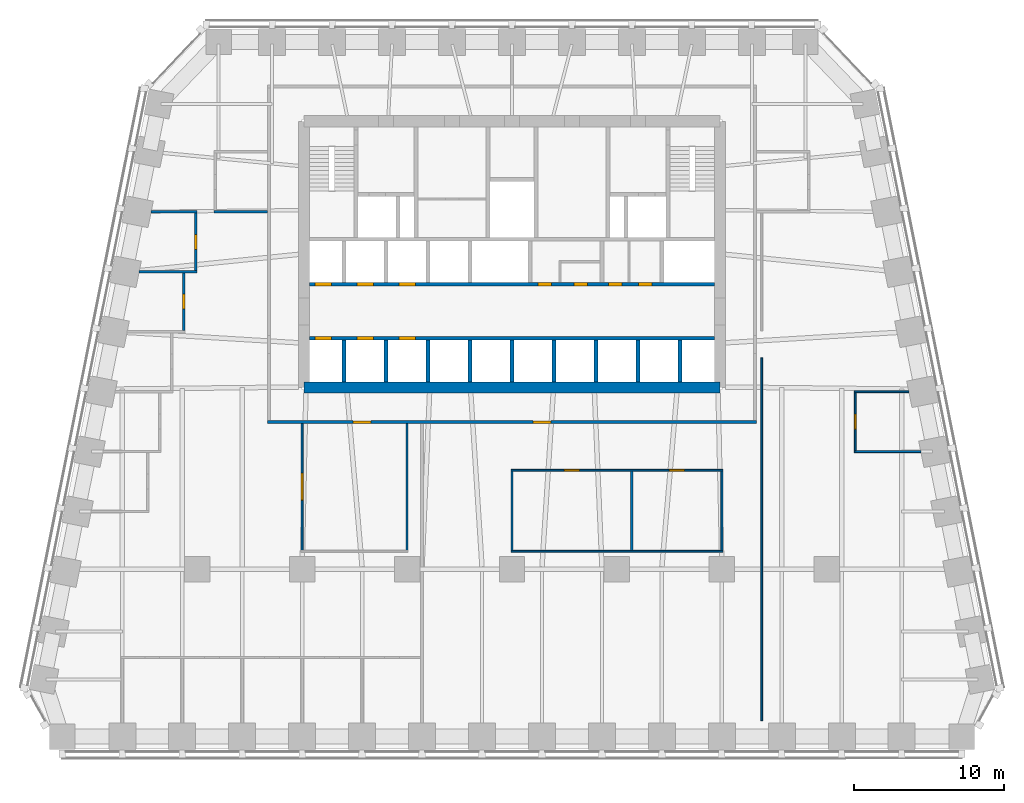
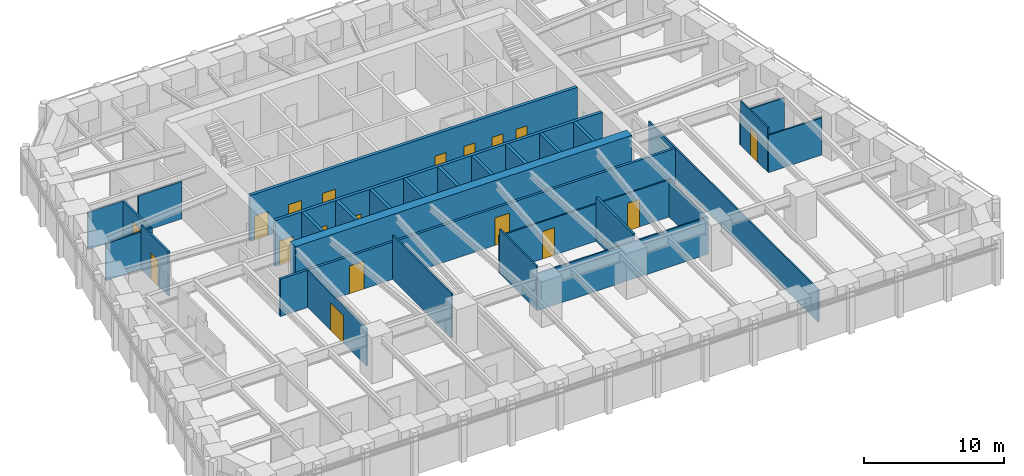
# One storey, part 6 of 10: 29 walls, 18 doors, 18 openings.
"""IFC4 building model written with IfcOpenShell, lengths in metres."""

import ifcopenshell
import ifcopenshell.guid

model = None  # the IFC model being written
_history = None  # IfcOwnerHistory: only IFC2X3 demands one
_inside = {}  # id of a spatial element -> (the spatial element, [elements in it])
_under = {}  # id of a project, library or spatial element -> (it, [spatial elements below it])
_declared = {}  # id of a project -> (the project, [libraries it declares])
_typed = {}  # id of a type object -> (the type object, [elements of that type])
_made_of = {}  # id of a material, layer set ... -> (it, [elements and type objects made of it])


def new_model(schema):
    """Start an empty IFC model of exactly this schema.

    Asked for "IFC4X3", IfcOpenShell would pick the latest addendum, in which some entities
    have other attributes; the version numbers below select the first issue.
    IFC2X3 requires an IfcOwnerHistory on every rooted entity: one is made here for all.
    """
    global model, _history
    if schema == "IFC4X3":
        model = ifcopenshell.file(schema_version=(4, 3, 0, 0))
    else:
        model = ifcopenshell.file(schema=schema)
    _inside.clear()
    _under.clear()
    _declared.clear()
    _typed.clear()
    _made_of.clear()
    _history = None
    if model.schema == "IFC2X3":
        org = make("IfcOrganization", Name="unknown")
        user = make(
            "IfcPersonAndOrganization",
            ThePerson=make("IfcPerson", FamilyName="unknown"),
            TheOrganization=org,
        )
        app = make(
            "IfcApplication",
            ApplicationDeveloper=org,
            Version="unknown",
            ApplicationFullName="unknown",
            ApplicationIdentifier="unknown",
        )
        _history = make(
            "IfcOwnerHistory",
            OwningUser=user,
            OwningApplication=app,
            ChangeAction="ADDED",
            CreationDate=0,
        )
    return model


def make(cls, **values):
    """One entity of the class cls with the attributes given. An attribute that is None is left unset."""
    return model.create_entity(
        cls, **{name: value for name, value in values.items() if value is not None}
    )


def rooted(cls, **values):
    """An entity with a GlobalId (a new one), such as an element, a storey or a relation."""
    return make(cls, GlobalId=ifcopenshell.guid.new(), OwnerHistory=_history, **values)


def si_unit(unit_type, name, prefix=None):
    """IfcSIUnit, for example si_unit("LENGTHUNIT", "METRE", prefix="MILLI")."""
    return make("IfcSIUnit", UnitType=unit_type, Prefix=prefix, Name=name)


def assignment(units):
    """IfcUnitAssignment: the units of a project."""
    return None if units is None else make("IfcUnitAssignment", Units=units)


def point(xyz):
    """IfcCartesianPoint."""
    return None if xyz is None else make("IfcCartesianPoint", Coordinates=xyz)


def direction(xyz):
    """IfcDirection."""
    return None if xyz is None else make("IfcDirection", DirectionRatios=xyz)


def frame(location, z_axis=None, x_axis=None):
    """IfcAxis2Placement3D, a coordinate frame: its origin and axes. An axis left out is left unset."""
    return make(
        "IfcAxis2Placement3D",
        Location=point(location),
        Axis=direction(z_axis),
        RefDirection=direction(x_axis),
    )


def frame_2d(location, x_axis=None):
    """IfcAxis2Placement2D, a coordinate frame in the plane: its origin and x axis."""
    return make(
        "IfcAxis2Placement2D", Location=point(location), RefDirection=direction(x_axis)
    )


def origin():
    """The frame at (0, 0, 0) with its axes left unset."""
    return frame((0.0, 0.0, 0.0))


def place(relative_to, where):
    """IfcLocalPlacement: puts the frame where relative to a parent placement (None: the world)."""
    return make(
        "IfcLocalPlacement", PlacementRelTo=relative_to, RelativePlacement=where
    )


def context(
    kind, dimensions, precision=None, world=None, true_north=None, identifier=None
):
    """IfcGeometricRepresentationContext, for example the 3D "Model" context."""
    return make(
        "IfcGeometricRepresentationContext",
        ContextIdentifier=identifier,
        ContextType=kind,
        CoordinateSpaceDimension=dimensions,
        Precision=precision,
        WorldCoordinateSystem=world,
        TrueNorth=true_north,
    )


def subcontext(parent, identifier, kind, view, scale=None):
    """IfcGeometricRepresentationSubContext, for example "Body" below "Model"."""
    return make(
        "IfcGeometricRepresentationSubContext",
        ContextIdentifier=identifier,
        ContextType=kind,
        ParentContext=parent,
        TargetScale=scale,
        TargetView=view,
    )


def project(units=None, contexts=None):
    """IfcProject with its units and contexts."""
    return rooted(
        "IfcProject",
        Name="project",
        RepresentationContexts=contexts,
        UnitsInContext=assignment(units),
    )


def spatial(cls, under=None, at=None, **own):
    """A site, building, storey or space (cls), placed at a placement, below another one or the project."""
    s = rooted(cls, ObjectPlacement=at, **own)
    if under is not None:
        _under.setdefault(under.id(), (under, []))[1].append(s)
    return s


def profile(cls, at=None, kind="AREA", **sizes):
    """A parametric profile (cls). Its sizes go by their IFC names, for example OverallWidth=200.0."""
    return make(cls, ProfileType=kind, Position=at, **sizes)


def rectangle(**sizes):
    """IfcRectangleProfileDef."""
    return profile("IfcRectangleProfileDef", **sizes)


def extrude(swept, where, along, depth):
    """IfcExtrudedAreaSolid: the profile swept, set in the frame where, extruded along a direction by depth."""
    return make(
        "IfcExtrudedAreaSolid",
        SweptArea=swept,
        Position=where,
        ExtrudedDirection=direction(along),
        Depth=depth,
    )


def shape(context_of_items, identifier, shape_type, items):
    """IfcShapeRepresentation: the items that make up one representation, for example the "Body"."""
    return make(
        "IfcShapeRepresentation",
        ContextOfItems=context_of_items,
        RepresentationIdentifier=identifier,
        RepresentationType=shape_type,
        Items=items,
    )


def material(Name=None, Category=None):
    """IfcMaterial."""
    return make("IfcMaterial", Name=Name, Category=Category)


def layer(
    of_material, thickness, ventilated=None, Name=None, Category=None, Priority=None
):
    """IfcMaterialLayer: one layer of a wall or slab, of a material (None: an air gap)."""
    return make(
        "IfcMaterialLayer",
        Material=of_material,
        LayerThickness=thickness,
        IsVentilated=ventilated,
        Name=Name,
        Category=Category,
        Priority=Priority,
    )


def layer_set(layers, Name=None):
    """IfcMaterialLayerSet."""
    return make("IfcMaterialLayerSet", MaterialLayers=layers, LayerSetName=Name)


def made_of(thing, what):
    """Note that an element or type object is made of a material, layer set ...; save() writes the relation."""
    if what is not None:
        _made_of.setdefault(what.id(), (what, []))[1].append(thing)
    return thing


def type_object(cls, material=None, **own):
    """A type object (cls), such as IfcWallType, which elements share."""
    return made_of(rooted(cls, **own), material)


def element(
    cls,
    number,
    at=None,
    inside=None,
    cuts=None,
    type_object=None,
    material=None,
    context=None,
    identifier="Body",
    shape_type=None,
    held_by="IfcProductDefinitionShape",
    body=None,
    shapes=None,
    **own,
):
    """One element of the class cls, such as IfcWall. Its Tag is "e" and its number.

    at: its placement. inside: the storey or other place that contains it. cuts: it is an
    opening in that element (IfcRelVoidsElement). A single representation is given by context,
    identifier, shape_type and body (its items); several are given by shapes. held_by: the class
    of the entity that holds the representations. save() writes the other relations.
    """
    e = rooted(cls, Tag="e%d" % number, ObjectPlacement=at, **own)
    if body is not None:
        shapes = [shape(context, identifier, shape_type, body)]
    if shapes is not None:
        e.Representation = make(held_by, Representations=shapes)
    if inside is not None:
        _inside.setdefault(inside.id(), (inside, []))[1].append(e)
    if cuts is not None:
        rooted(
            "IfcRelVoidsElement", RelatingBuildingElement=cuts, RelatedOpeningElement=e
        )
    if type_object is not None:
        _typed.setdefault(type_object.id(), (type_object, []))[1].append(e)
    return made_of(e, material)


def fill(opening, filler):
    """IfcRelFillsElement: the door or window that sits in an opening."""
    return rooted(
        "IfcRelFillsElement",
        RelatingOpeningElement=opening,
        RelatedBuildingElement=filler,
    )


def aggregate(whole, parts):
    """IfcRelAggregates: a whole, such as a stair, and the parts it consists of."""
    return rooted("IfcRelAggregates", RelatingObject=whole, RelatedObjects=parts)


def save(model, path):
    """Write the relations noted so far, then the file.

    IfcRelAggregates (storeys below a building ...), IfcRelContainedInSpatialStructure (elements
    in a storey), IfcRelDefinesByType, IfcRelAssociatesMaterial and IfcRelDeclares: one each for
    every whole, place, type object, material and project.
    """
    for whole, parts in _under.values():
        aggregate(whole, parts)
    for where, things in _inside.values():
        rooted(
            "IfcRelContainedInSpatialStructure",
            RelatedElements=things,
            RelatingStructure=where,
        )
    for kind, things in _typed.values():
        rooted("IfcRelDefinesByType", RelatedObjects=things, RelatingType=kind)
    for what, things in _made_of.values():
        rooted("IfcRelAssociatesMaterial", RelatedObjects=things, RelatingMaterial=what)
    for by, libraries in _declared.values():
        rooted("IfcRelDeclares", RelatingContext=by, RelatedDefinitions=libraries)
    model.write(path)


model = new_model("IFC4")

# Units and contexts
model_context = context("Model", 3, precision=1e-05, world=origin(), true_north=direction((0.0, 1.0)))
body_context = subcontext(model_context, "Body", "Model", "MODEL_VIEW")
ifc_project = project(units=[si_unit("LENGTHUNIT", "METRE"), si_unit("AREAUNIT", "SQUARE_METRE"), si_unit("VOLUMEUNIT", "CUBIC_METRE"), si_unit("PLANEANGLEUNIT", "RADIAN"), si_unit("MASSUNIT", "GRAM", prefix="KILO")], contexts=[model_context])

# Site, building, storey
site_placement = place(None, origin())
site = spatial("IfcSite", under=ifc_project, at=site_placement, CompositionType="ELEMENT")
building_placement = place(site_placement, origin())
building = spatial("IfcBuilding", under=site, at=building_placement, Name="Isbrekke Arena Tower", CompositionType="ELEMENT")
storey_placement = place(building_placement, frame((0.0, 0.0, 107.0)))
storey = spatial("IfcBuildingStorey", under=building, at=storey_placement, Name="L23", CompositionType="ELEMENT", Elevation=107.0)

# Wall
ifc_material_1 = material(Name="Concrete B55 (C55/67)", Category="concrete")
ifc_layer_1 = layer(ifc_material_1, 0.75)
ifc_layer_set_1 = layer_set([ifc_layer_1], Name="CW3 CORE WALL 750")
wall_type_1 = type_object("IfcWallType", Name="CW3 CORE WALL 750", PredefinedType="SHEAR", material=ifc_layer_set_1)
wall_1_placement = place(storey_placement, frame((-13.875, 6.125, 0.0), z_axis=(0.0, 0.0, 1.0), x_axis=(1.0, 0.0, 0.0)))
element("IfcWall", 1, at=wall_1_placement, inside=storey, type_object=wall_type_1, Name="Core wall S L23", PredefinedType="SHEAR", context=body_context, shape_type="SweptSolid", body=[
    extrude(rectangle(XDim=27.75, YDim=0.75, at=frame_2d((13.875, 0.0))), origin(), (0.0, 0.0, 1.0), 4.0),
])

# Wall, openings, doors
ifc_material_2 = material(Name="Concrete B45 (C45/55)", Category="concrete")
ifc_layer_2 = layer(ifc_material_2, 0.25)
ifc_layer_set_2 = layer_set([ifc_layer_2], Name="CW6 SHAFT WALL 250")
wall_type_2 = type_object("IfcWallType", Name="CW6 SHAFT WALL 250", PredefinedType="SHEAR", material=ifc_layer_set_2)
wall_2_placement = place(storey_placement, frame((-13.5, 9.39990234375, 0.0), z_axis=(0.0, 0.0, 1.0), x_axis=(1.0, 0.0, 0.0)))
wall_2 = element("IfcWall", 2, at=wall_2_placement, inside=storey, type_object=wall_type_2, Name="Core wall LS L23", PredefinedType="SHEAR", context=body_context, shape_type="SweptSolid", body=[
    extrude(rectangle(XDim=27.0, YDim=0.25, at=frame_2d((13.5, 0.0))), origin(), (0.0, 0.0, 1.0), 4.0),
])
opening_1_placement = place(wall_2_placement, frame((0.35009765625, 0.0, 0.0)))
opening_1 = element("IfcOpeningElement", 3, at=opening_1_placement, cuts=wall_2, Name="Opening LD1", PredefinedType="OPENING", context=body_context, shape_type="SweptSolid", body=[
    extrude(rectangle(XDim=1.10009765625, YDim=2.10009765625, at=frame_2d((0.550048828125, 1.050048828125))), frame((0.0, 0.139892578125, 0.0), z_axis=(0.0, -1.0, 0.0), x_axis=(1.0, 0.0, 0.0)), (0.0, 0.0, 1.0), 0.27978515625),
])
opening_2_placement = place(wall_2_placement, frame((3.14990234375, 0.0, 0.0)))
opening_2 = element("IfcOpeningElement", 4, at=opening_2_placement, cuts=wall_2, Name="Opening LD1", PredefinedType="OPENING", context=body_context, shape_type="SweptSolid", body=[
    extrude(rectangle(XDim=1.10009765625, YDim=2.10009765625, at=frame_2d((0.550048828125, 1.050048828125))), frame((0.0, 0.139892578125, 0.0), z_axis=(0.0, -1.0, 0.0), x_axis=(1.0, 0.0, 0.0)), (0.0, 0.0, 1.0), 0.27978515625),
])
opening_3_placement = place(wall_2_placement, frame((5.949951171875, 0.0, 0.0)))
opening_3 = element("IfcOpeningElement", 5, at=opening_3_placement, cuts=wall_2, Name="Opening LD1", PredefinedType="OPENING", context=body_context, shape_type="SweptSolid", body=[
    extrude(rectangle(XDim=1.10009765625, YDim=2.10009765625, at=frame_2d((0.550048828125, 1.050048828125))), frame((0.0, 0.139892578125, 0.0), z_axis=(0.0, -1.0, 0.0), x_axis=(1.0, 0.0, 0.0)), (0.0, 0.0, 1.0), 0.27978515625),
])
ifc_material_3 = material(Name="Stainless steel lift landing door", Category="steel")
door_type_1 = type_object("IfcDoorType", Name="LD1 LIFT LANDING DOOR 1100 x 2100", OperationType="SLIDING_TO_LEFT", PredefinedType="DOOR", material=ifc_material_3)
door_1_placement = place(opening_1_placement, origin())
door_1 = element("IfcDoor", 6, at=door_1_placement, inside=storey, type_object=door_type_1, Name="LD1 lift landing door LB L23", OperationType="SLIDING_TO_LEFT", OverallHeight=2.10009765625, OverallWidth=1.10009765625, PredefinedType="DOOR", context=body_context, shape_type="SweptSolid", body=[
    extrude(rectangle(XDim=1.10009765625, YDim=2.10009765625, at=frame_2d((0.550048828125, 1.050048828125))), frame((0.0, 0.124755859375, 0.0), z_axis=(0.0, -1.0, 0.0), x_axis=(1.0, 0.0, 0.0)), (0.0, 0.0, 1.0), 0.24951171875),
])
fill(opening_1, door_1)
door_2_placement = place(opening_2_placement, origin())
door_2 = element("IfcDoor", 7, at=door_2_placement, inside=storey, type_object=door_type_1, Name="LD1 lift landing door LB L23", OperationType="SLIDING_TO_LEFT", OverallHeight=2.10009765625, OverallWidth=1.10009765625, PredefinedType="DOOR", context=body_context, shape_type="SweptSolid", body=[
    extrude(rectangle(XDim=1.10009765625, YDim=2.10009765625, at=frame_2d((0.550048828125, 1.050048828125))), frame((0.0, 0.124755859375, 0.0), z_axis=(0.0, -1.0, 0.0), x_axis=(1.0, 0.0, 0.0)), (0.0, 0.0, 1.0), 0.24951171875),
])
fill(opening_2, door_2)
door_3_placement = place(opening_3_placement, origin())
door_3 = element("IfcDoor", 8, at=door_3_placement, inside=storey, type_object=door_type_1, Name="LD1 lift landing door LB L23", OperationType="SLIDING_TO_LEFT", OverallHeight=2.10009765625, OverallWidth=1.10009765625, PredefinedType="DOOR", context=body_context, shape_type="SweptSolid", body=[
    extrude(rectangle(XDim=1.10009765625, YDim=2.10009765625, at=frame_2d((0.550048828125, 1.050048828125))), frame((0.0, 0.124755859375, 0.0), z_axis=(0.0, -1.0, 0.0), x_axis=(1.0, 0.0, 0.0)), (0.0, 0.0, 1.0), 0.24951171875),
])
fill(opening_3, door_3)

wall_3_placement = place(storey_placement, frame((-13.5, 13.0, 0.0), z_axis=(0.0, 0.0, 1.0), x_axis=(1.0, 0.0, 0.0)))
wall_3 = element("IfcWall", 9, at=wall_3_placement, inside=storey, type_object=wall_type_2, Name="Core wall LN L23", PredefinedType="SHEAR", context=body_context, shape_type="SweptSolid", body=[
    extrude(rectangle(XDim=27.0, YDim=0.25, at=frame_2d((13.5, 0.0))), origin(), (0.0, 0.0, 1.0), 4.0),
])
opening_4_placement = place(wall_3_placement, frame((0.35009765625, 0.0, 0.0)))
opening_4 = element("IfcOpeningElement", 10, at=opening_4_placement, cuts=wall_3, Name="Opening LD1", PredefinedType="OPENING", context=body_context, shape_type="SweptSolid", body=[
    extrude(rectangle(XDim=1.10009765625, YDim=2.10009765625, at=frame_2d((0.550048828125, 1.050048828125))), frame((0.0, 0.139892578125, 0.0), z_axis=(0.0, -1.0, 0.0), x_axis=(1.0, 0.0, 0.0)), (0.0, 0.0, 1.0), 0.27978515625),
])
opening_5_placement = place(wall_3_placement, frame((3.14990234375, 0.0, 0.0)))
opening_5 = element("IfcOpeningElement", 11, at=opening_5_placement, cuts=wall_3, Name="Opening LD1", PredefinedType="OPENING", context=body_context, shape_type="SweptSolid", body=[
    extrude(rectangle(XDim=1.10009765625, YDim=2.10009765625, at=frame_2d((0.550048828125, 1.050048828125))), frame((0.0, 0.139892578125, 0.0), z_axis=(0.0, -1.0, 0.0), x_axis=(1.0, 0.0, 0.0)), (0.0, 0.0, 1.0), 0.27978515625),
])
opening_6_placement = place(wall_3_placement, frame((5.949951171875, 0.0, 0.0)))
opening_6 = element("IfcOpeningElement", 12, at=opening_6_placement, cuts=wall_3, Name="Opening LD1", PredefinedType="OPENING", context=body_context, shape_type="SweptSolid", body=[
    extrude(rectangle(XDim=1.10009765625, YDim=2.10009765625, at=frame_2d((0.550048828125, 1.050048828125))), frame((0.0, 0.139892578125, 0.0), z_axis=(0.0, -1.0, 0.0), x_axis=(1.0, 0.0, 0.0)), (0.0, 0.0, 1.0), 0.27978515625),
])
opening_7_placement = place(wall_3_placement, frame((15.25, 0.0, 0.0)))
opening_7 = element("IfcOpeningElement", 13, at=opening_7_placement, cuts=wall_3, Name="Opening D5", PredefinedType="OPENING", context=body_context, shape_type="SweptSolid", body=[
    extrude(rectangle(XDim=0.89990234375, YDim=2.10009765625, at=frame_2d((0.449951171875, 1.050048828125))), frame((0.0, 0.139892578125, 0.0), z_axis=(0.0, -1.0, 0.0), x_axis=(1.0, 0.0, 0.0)), (0.0, 0.0, 1.0), 0.27978515625),
])
opening_8_placement = place(wall_3_placement, frame((17.64990234375, 0.0, 0.0)))
opening_8 = element("IfcOpeningElement", 14, at=opening_8_placement, cuts=wall_3, Name="Opening D5", PredefinedType="OPENING", context=body_context, shape_type="SweptSolid", body=[
    extrude(rectangle(XDim=0.89990234375, YDim=2.10009765625, at=frame_2d((0.449951171875, 1.050048828125))), frame((0.0, 0.139892578125, 0.0), z_axis=(0.0, -1.0, 0.0), x_axis=(1.0, 0.0, 0.0)), (0.0, 0.0, 1.0), 0.27978515625),
])
opening_9_placement = place(wall_3_placement, frame((19.949951171875, 0.0, 0.0)))
opening_9 = element("IfcOpeningElement", 15, at=opening_9_placement, cuts=wall_3, Name="Opening D5", PredefinedType="OPENING", context=body_context, shape_type="SweptSolid", body=[
    extrude(rectangle(XDim=0.89990234375, YDim=2.10009765625, at=frame_2d((0.449951171875, 1.050048828125))), frame((0.0, 0.139892578125, 0.0), z_axis=(0.0, -1.0, 0.0), x_axis=(1.0, 0.0, 0.0)), (0.0, 0.0, 1.0), 0.27978515625),
])
opening_10_placement = place(wall_3_placement, frame((21.949951171875, 0.0, 0.0)))
opening_10 = element("IfcOpeningElement", 16, at=opening_10_placement, cuts=wall_3, Name="Opening D5", PredefinedType="OPENING", context=body_context, shape_type="SweptSolid", body=[
    extrude(rectangle(XDim=0.89990234375, YDim=2.10009765625, at=frame_2d((0.449951171875, 1.050048828125))), frame((0.0, 0.139892578125, 0.0), z_axis=(0.0, -1.0, 0.0), x_axis=(1.0, 0.0, 0.0)), (0.0, 0.0, 1.0), 0.27978515625),
])
ifc_material_4 = material(Name="Steel fire door", Category="steel")
door_type_2 = type_object("IfcDoorType", Name="D5 SERVICE DOOR 900 x 2100", OperationType="SINGLE_SWING_LEFT", PredefinedType="DOOR", material=ifc_material_4)
door_4_placement = place(opening_7_placement, origin())
door_4 = element("IfcDoor", 17, at=door_4_placement, inside=storey, type_object=door_type_2, Name="D5 print room door L23", OperationType="SINGLE_SWING_LEFT", OverallHeight=2.10009765625, OverallWidth=0.89990234375, PredefinedType="DOOR", context=body_context, shape_type="SweptSolid", body=[
    extrude(rectangle(XDim=0.89990234375, YDim=2.10009765625, at=frame_2d((0.449951171875, 1.050048828125))), frame((0.0, 0.124755859375, 0.0), z_axis=(0.0, -1.0, 0.0), x_axis=(1.0, 0.0, 0.0)), (0.0, 0.0, 1.0), 0.24951171875),
])
fill(opening_7, door_4)
door_5_placement = place(opening_8_placement, origin())
door_5 = element("IfcDoor", 18, at=door_5_placement, inside=storey, type_object=door_type_2, Name="D5 cleaner's store door L23", OperationType="SINGLE_SWING_LEFT", OverallHeight=2.10009765625, OverallWidth=0.89990234375, PredefinedType="DOOR", context=body_context, shape_type="SweptSolid", body=[
    extrude(rectangle(XDim=0.89990234375, YDim=2.10009765625, at=frame_2d((0.449951171875, 1.050048828125))), frame((0.0, 0.124755859375, 0.0), z_axis=(0.0, -1.0, 0.0), x_axis=(1.0, 0.0, 0.0)), (0.0, 0.0, 1.0), 0.24951171875),
])
fill(opening_8, door_5)
door_6_placement = place(opening_9_placement, origin())
door_6 = element("IfcDoor", 19, at=door_6_placement, inside=storey, type_object=door_type_2, Name="D5 communications room door L23", OperationType="SINGLE_SWING_LEFT", OverallHeight=2.10009765625, OverallWidth=0.89990234375, PredefinedType="DOOR", context=body_context, shape_type="SweptSolid", body=[
    extrude(rectangle(XDim=0.89990234375, YDim=2.10009765625, at=frame_2d((0.449951171875, 1.050048828125))), frame((0.0, 0.124755859375, 0.0), z_axis=(0.0, -1.0, 0.0), x_axis=(1.0, 0.0, 0.0)), (0.0, 0.0, 1.0), 0.24951171875),
])
fill(opening_9, door_6)
door_7_placement = place(opening_10_placement, origin())
door_7 = element("IfcDoor", 20, at=door_7_placement, inside=storey, type_object=door_type_2, Name="D5 mothers' room door L23", OperationType="SINGLE_SWING_LEFT", OverallHeight=2.10009765625, OverallWidth=0.89990234375, PredefinedType="DOOR", context=body_context, shape_type="SweptSolid", body=[
    extrude(rectangle(XDim=0.89990234375, YDim=2.10009765625, at=frame_2d((0.449951171875, 1.050048828125))), frame((0.0, 0.124755859375, 0.0), z_axis=(0.0, -1.0, 0.0), x_axis=(1.0, 0.0, 0.0)), (0.0, 0.0, 1.0), 0.24951171875),
])
fill(opening_10, door_7)
door_8_placement = place(opening_4_placement, origin())
door_8 = element("IfcDoor", 21, at=door_8_placement, inside=storey, type_object=door_type_1, Name="LD1 lift landing door LB L23", OperationType="SLIDING_TO_LEFT", OverallHeight=2.10009765625, OverallWidth=1.10009765625, PredefinedType="DOOR", context=body_context, shape_type="SweptSolid", body=[
    extrude(rectangle(XDim=1.10009765625, YDim=2.10009765625, at=frame_2d((0.550048828125, 1.050048828125))), frame((0.0, 0.124755859375, 0.0), z_axis=(0.0, -1.0, 0.0), x_axis=(1.0, 0.0, 0.0)), (0.0, 0.0, 1.0), 0.24951171875),
])
fill(opening_4, door_8)
door_9_placement = place(opening_5_placement, origin())
door_9 = element("IfcDoor", 22, at=door_9_placement, inside=storey, type_object=door_type_1, Name="LD1 lift landing door LB L23", OperationType="SLIDING_TO_LEFT", OverallHeight=2.10009765625, OverallWidth=1.10009765625, PredefinedType="DOOR", context=body_context, shape_type="SweptSolid", body=[
    extrude(rectangle(XDim=1.10009765625, YDim=2.10009765625, at=frame_2d((0.550048828125, 1.050048828125))), frame((0.0, 0.124755859375, 0.0), z_axis=(0.0, -1.0, 0.0), x_axis=(1.0, 0.0, 0.0)), (0.0, 0.0, 1.0), 0.24951171875),
])
fill(opening_5, door_9)
door_10_placement = place(opening_6_placement, origin())
door_10 = element("IfcDoor", 23, at=door_10_placement, inside=storey, type_object=door_type_1, Name="LD1 lift landing door LB L23", OperationType="SLIDING_TO_LEFT", OverallHeight=2.10009765625, OverallWidth=1.10009765625, PredefinedType="DOOR", context=body_context, shape_type="SweptSolid", body=[
    extrude(rectangle(XDim=1.10009765625, YDim=2.10009765625, at=frame_2d((0.550048828125, 1.050048828125))), frame((0.0, 0.124755859375, 0.0), z_axis=(0.0, -1.0, 0.0), x_axis=(1.0, 0.0, 0.0)), (0.0, 0.0, 1.0), 0.24951171875),
])
fill(opening_6, door_10)

# Walls
for number, where, z_axis, x_axis, name in (
    (24, (-11.199951171875, 6.5, 0.0), (0.0, 0.0, 1.0), (0.0, 1.0, 0.0), "Core wall SS01 L23"),
    (25, (-8.39990234375, 6.5, 0.0), (0.0, 0.0, 1.0), (0.0, 1.0, 0.0), "Core wall SS02 L23"),
    (26, (-5.60009765625, 6.5, 0.0), (0.0, 0.0, 1.0), (0.0, 1.0, 0.0), "Core wall SS03 L23"),
    (27, (-2.800048828125, 6.5, 0.0), (0.0, 0.0, 1.0), (0.0, 1.0, 0.0), "Core wall SS04 L23"),
    (28, (0.0, 6.5, 0.0), (0.0, 0.0, 1.0), (0.0, 1.0, 0.0), "Core wall SS05 L23"),
    (29, (2.800048828125, 6.5, 0.0), (0.0, 0.0, 1.0), (0.0, 1.0, 0.0), "Core wall SS06 L23"),
    (30, (5.60009765625, 6.5, 0.0), (0.0, 0.0, 1.0), (0.0, 1.0, 0.0), "Core wall SS07 L23"),
    (31, (8.39990234375, 6.5, 0.0), (0.0, 0.0, 1.0), (0.0, 1.0, 0.0), "Core wall SS08 L23"),
    (32, (11.199951171875, 6.5, 0.0), (0.0, 0.0, 1.0), (0.0, 1.0, 0.0), "Core wall SS09 L23"),
):
    element("IfcWall", number, at=place(storey_placement, frame(where, z_axis=z_axis, x_axis=x_axis)), inside=storey, type_object=wall_type_2, Name=name, PredefinedType="SHEAR", context=body_context, shape_type="SweptSolid", body=[
        extrude(rectangle(XDim=2.77490234375, YDim=0.25, at=frame_2d((1.387451171875, 0.0))), origin(), (0.0, 0.0, 1.0), 4.0),
    ])
ifc_material_5 = material(Name="Gypsum board partition on steel studs", Category="steel")
ifc_layer_3 = layer(ifc_material_5, 0.14990234375)
ifc_layer_set_3 = layer_set([ifc_layer_3], Name="IW1 PARTITION 150")
wall_type_3 = type_object("IfcWallType", Name="IW1 PARTITION 150", PredefinedType="PARTITIONING", material=ifc_layer_set_3)
wall_4_placement = place(storey_placement, frame((-24.872802734375, 13.840087890625, 0.0), z_axis=(0.0, 0.0, 1.0), x_axis=(1.0, 0.0, 0.0)))
element("IfcWall", 33, at=wall_4_placement, inside=storey, type_object=wall_type_3, Name="IW1 partition 150 L23", PredefinedType="PARTITIONING", context=body_context, shape_type="SweptSolid", body=[
    extrude(rectangle(XDim=3.847900390625, YDim=0.14990234375, at=frame_2d((1.923828125, 0.0))), origin(), (0.0, 0.0, 1.0), 3.25),
])
wall_5_placement = place(storey_placement, frame((-24.07275390625, 17.840087890625, 0.0), z_axis=(0.0, 0.0, 1.0), x_axis=(1.0, 0.0, 0.0)))
element("IfcWall", 34, at=wall_5_placement, inside=storey, type_object=wall_type_3, Name="IW1 partition 150 L23", PredefinedType="PARTITIONING", context=body_context, shape_type="SweptSolid", body=[
    extrude(rectangle(XDim=3.0478515625, YDim=0.14990234375, at=frame_2d((1.52392578125, 0.0))), origin(), (0.0, 0.0, 1.0), 3.25),
])
wall_6_placement = place(storey_placement, frame((-19.875, 17.840087890625, 0.0), z_axis=(0.0, 0.0, 1.0), x_axis=(1.0, 0.0, 0.0)))
element("IfcWall", 35, at=wall_6_placement, inside=storey, type_object=wall_type_3, Name="IW1 partition 150 L23", PredefinedType="PARTITIONING", context=body_context, shape_type="SweptSolid", body=[
    extrude(rectangle(XDim=3.574951171875, YDim=0.14990234375, at=frame_2d((1.78759765625, 0.0))), origin(), (0.0, 0.0, 1.0), 3.25),
])

# Wall, opening, door
wall_7_placement = place(storey_placement, frame((-21.89990234375, 9.9150390625, 0.0), z_axis=(0.0, 0.0, 1.0), x_axis=(0.0, 1.0, 0.0)))
wall_7 = element("IfcWall", 36, at=wall_7_placement, inside=storey, type_object=wall_type_3, Name="IW1 partition 150 L23", PredefinedType="PARTITIONING", context=body_context, shape_type="SweptSolid", body=[
    extrude(rectangle(XDim=3.849853515625, YDim=0.14990234375, at=frame_2d((1.9248046875, 0.0))), origin(), (0.0, 0.0, 1.0), 3.85009765625),
])
opening_11_placement = place(wall_7_placement, frame((1.425048828125, 0.0, 0.0)))
opening_11 = element("IfcOpeningElement", 37, at=opening_11_placement, cuts=wall_7, Name="Opening D10", PredefinedType="OPENING", context=body_context, shape_type="SweptSolid", body=[
    extrude(rectangle(XDim=1.0, YDim=2.300048828125, at=frame_2d((0.5, 1.14990234375))), frame((0.0, 0.08984375, 0.0), z_axis=(0.0, -1.0, 0.0), x_axis=(1.0, 0.0, 0.0)), (0.0, 0.0, 1.0), 0.1796875),
])
ifc_material_6 = material(Name="Timber door", Category="wood")
door_type_3 = type_object("IfcDoorType", Name="D10 OFFICE DOOR 1000 x 2300", OperationType="SINGLE_SWING_LEFT", PredefinedType="DOOR", material=ifc_material_6)
door_11_placement = place(opening_11_placement, origin())
door_11 = element("IfcDoor", 38, at=door_11_placement, inside=storey, type_object=door_type_3, Name="D10 office door L23", OperationType="SINGLE_SWING_LEFT", OverallHeight=2.300048828125, OverallWidth=1.0, PredefinedType="DOOR", context=body_context, shape_type="SweptSolid", body=[
    extrude(rectangle(XDim=1.0, YDim=2.300048828125, at=frame_2d((0.5, 1.14990234375))), frame((0.0, 0.07470703125, 0.0), z_axis=(0.0, -1.0, 0.0), x_axis=(1.0, 0.0, 0.0)), (0.0, 0.0, 1.0), 0.1494140625),
])
fill(opening_11, door_11)

wall_8_placement = place(storey_placement, frame((-21.10009765625, 13.9150390625, 0.0), z_axis=(0.0, 0.0, 1.0), x_axis=(0.0, 1.0, 0.0)))
wall_8 = element("IfcWall", 39, at=wall_8_placement, inside=storey, type_object=wall_type_3, Name="IW1 partition 150 L23", PredefinedType="PARTITIONING", context=body_context, shape_type="SweptSolid", body=[
    extrude(rectangle(XDim=3.849853515625, YDim=0.14990234375, at=frame_2d((1.9248046875, 0.0))), origin(), (0.0, 0.0, 1.0), 3.25),
])
opening_12_placement = place(wall_8_placement, frame((1.425048828125, 0.0, 0.0)))
opening_12 = element("IfcOpeningElement", 40, at=opening_12_placement, cuts=wall_8, Name="Opening D10", PredefinedType="OPENING", context=body_context, shape_type="SweptSolid", body=[
    extrude(rectangle(XDim=1.0, YDim=2.300048828125, at=frame_2d((0.5, 1.14990234375))), frame((0.0, 0.08984375, 0.0), z_axis=(0.0, -1.0, 0.0), x_axis=(1.0, 0.0, 0.0)), (0.0, 0.0, 1.0), 0.1796875),
])
door_12_placement = place(opening_12_placement, origin())
door_12 = element("IfcDoor", 41, at=door_12_placement, inside=storey, type_object=door_type_3, Name="D10 office door L23", OperationType="SINGLE_SWING_LEFT", OverallHeight=2.300048828125, OverallWidth=1.0, PredefinedType="DOOR", context=body_context, shape_type="SweptSolid", body=[
    extrude(rectangle(XDim=1.0, YDim=2.300048828125, at=frame_2d((0.5, 1.14990234375))), frame((0.0, 0.07470703125, 0.0), z_axis=(0.0, -1.0, 0.0), x_axis=(1.0, 0.0, 0.0)), (0.0, 0.0, 1.0), 0.1494140625),
])
fill(opening_12, door_12)

# Wall
ifc_material_7 = material(Name="Frameless glazed partition, laminated acoustic glass", Category="glass")
ifc_layer_4 = layer(ifc_material_7, 0.1201171875)
ifc_layer_set_4 = layer_set([ifc_layer_4], Name="IW2 GLAZED PARTITION 120")
wall_type_4 = type_object("IfcWallType", Name="IW2 GLAZED PARTITION 120", PredefinedType="PARTITIONING", material=ifc_layer_set_4)
wall_9_placement = place(storey_placement, frame((-0.06005859375, -4.800048828125, 0.0), z_axis=(0.0, 0.0, 1.0), x_axis=(1.0, 0.0, 0.0)))
element("IfcWall", 42, at=wall_9_placement, inside=storey, type_object=wall_type_4, Name="IW2 glazed partition 120 L23", PredefinedType="PARTITIONING", context=body_context, shape_type="SweptSolid", body=[
    extrude(rectangle(XDim=14.1201171875, YDim=0.1201171875, at=frame_2d((7.06005859375, 0.0))), origin(), (0.0, 0.0, 1.0), 3.25),
])

# Wall, openings, doors
wall_10_placement = place(storey_placement, frame((-0.06005859375, 0.60009765625, 0.0), z_axis=(0.0, 0.0, 1.0), x_axis=(1.0, 0.0, 0.0)))
wall_10 = element("IfcWall", 43, at=wall_10_placement, inside=storey, type_object=wall_type_4, Name="IW2 glazed partition 120 L23", PredefinedType="PARTITIONING", context=body_context, shape_type="SweptSolid", body=[
    extrude(rectangle(XDim=14.1201171875, YDim=0.1201171875, at=frame_2d((7.06005859375, 0.0))), origin(), (0.0, 0.0, 1.0), 3.25),
])
opening_13_placement = place(wall_10_placement, frame((3.56005859375, 0.0, 0.0)))
opening_13 = element("IfcOpeningElement", 44, at=opening_13_placement, cuts=wall_10, Name="Opening D11", PredefinedType="OPENING", context=body_context, shape_type="SweptSolid", body=[
    extrude(rectangle(XDim=1.0, YDim=2.39990234375, at=frame_2d((0.5, 1.199951171875))), frame((0.0, 0.074951171875, 0.0), z_axis=(0.0, -1.0, 0.0), x_axis=(1.0, 0.0, 0.0)), (0.0, 0.0, 1.0), 0.14990234375),
])
opening_14_placement = place(wall_10_placement, frame((10.56005859375, 0.0, 0.0)))
opening_14 = element("IfcOpeningElement", 45, at=opening_14_placement, cuts=wall_10, Name="Opening D11", PredefinedType="OPENING", context=body_context, shape_type="SweptSolid", body=[
    extrude(rectangle(XDim=1.0, YDim=2.39990234375, at=frame_2d((0.5, 1.199951171875))), frame((0.0, 0.074951171875, 0.0), z_axis=(0.0, -1.0, 0.0), x_axis=(1.0, 0.0, 0.0)), (0.0, 0.0, 1.0), 0.14990234375),
])
ifc_material_8 = material(Name="Frameless glazed door", Category="glass")
door_type_4 = type_object("IfcDoorType", Name="D11 GLAZED MEETING ROOM DOOR 1000 x 2400", OperationType="SINGLE_SWING_RIGHT", PredefinedType="DOOR", material=ifc_material_8)
door_13_placement = place(opening_13_placement, origin())
door_13 = element("IfcDoor", 46, at=door_13_placement, inside=storey, type_object=door_type_4, Name="D11 meeting room door L23", OperationType="SINGLE_SWING_RIGHT", OverallHeight=2.39990234375, OverallWidth=1.0, PredefinedType="DOOR", context=body_context, shape_type="SweptSolid", body=[
    extrude(rectangle(XDim=1.0, YDim=2.39990234375, at=frame_2d((0.5, 1.199951171875))), frame((0.0, 0.059814453125, 0.0), z_axis=(0.0, -1.0, 0.0), x_axis=(1.0, 0.0, 0.0)), (0.0, 0.0, 1.0), 0.11962890625),
])
fill(opening_13, door_13)
door_14_placement = place(opening_14_placement, origin())
door_14 = element("IfcDoor", 47, at=door_14_placement, inside=storey, type_object=door_type_4, Name="D11 meeting room door L23", OperationType="SINGLE_SWING_RIGHT", OverallHeight=2.39990234375, OverallWidth=1.0, PredefinedType="DOOR", context=body_context, shape_type="SweptSolid", body=[
    extrude(rectangle(XDim=1.0, YDim=2.39990234375, at=frame_2d((0.5, 1.199951171875))), frame((0.0, 0.059814453125, 0.0), z_axis=(0.0, -1.0, 0.0), x_axis=(1.0, 0.0, 0.0)), (0.0, 0.0, 1.0), 0.11962890625),
])
fill(opening_14, door_14)

# Walls
wall_11_placement = place(storey_placement, frame((22.840087890625, 1.840087890625, 0.0), z_axis=(0.0, 0.0, 1.0), x_axis=(1.0, 0.0, 0.0)))
element("IfcWall", 48, at=wall_11_placement, inside=storey, type_object=wall_type_4, Name="IW2 glazed partition 120 L23", PredefinedType="PARTITIONING", context=body_context, shape_type="SweptSolid", body=[
    extrude(rectangle(XDim=4.4326171875, YDim=0.1201171875, at=frame_2d((2.21630859375, 0.0))), origin(), (0.0, 0.0, 1.0), 3.25),
])
wall_12_placement = place(storey_placement, frame((22.840087890625, 5.840087890625, 0.0), z_axis=(0.0, 0.0, 1.0), x_axis=(1.0, 0.0, 0.0)))
element("IfcWall", 49, at=wall_12_placement, inside=storey, type_object=wall_type_4, Name="IW2 glazed partition 120 L23", PredefinedType="PARTITIONING", context=body_context, shape_type="SweptSolid", body=[
    extrude(rectangle(XDim=3.6328125, YDim=0.1201171875, at=frame_2d((1.81640625, 0.0))), origin(), (0.0, 0.0, 1.0), 2.842041015625),
])

# Wall, opening, door
wall_13_placement = place(storey_placement, frame((-14.0, -4.739990234375, 0.0), z_axis=(0.0, 0.0, 1.0), x_axis=(0.0, 1.0, 0.0)))
wall_13 = element("IfcWall", 50, at=wall_13_placement, inside=storey, type_object=wall_type_4, Name="IW2 glazed partition 120 L23", PredefinedType="PARTITIONING", context=body_context, shape_type="SweptSolid", body=[
    extrude(rectangle(XDim=8.43994140625, YDim=0.1201171875, at=frame_2d((4.219970703125, 0.0))), origin(), (0.0, 0.0, 1.0), 3.25),
])
opening_15_placement = place(wall_13_placement, frame((3.340087890625, 0.0, 0.0)))
opening_15 = element("IfcOpeningElement", 51, at=opening_15_placement, cuts=wall_13, Name="Opening D13", PredefinedType="OPENING", context=body_context, shape_type="SweptSolid", body=[
    extrude(rectangle(XDim=1.800048828125, YDim=2.39990234375, at=frame_2d((0.89990234375, 1.199951171875))), frame((0.0, 0.074951171875, 0.0), z_axis=(0.0, -1.0, 0.0), x_axis=(1.0, 0.0, 0.0)), (0.0, 0.0, 1.0), 0.14990234375),
])
ifc_material_9 = material(Name="Timber door pair", Category="wood")
door_type_5 = type_object("IfcDoorType", Name="D13 DOUBLE ROOM DOOR 1800 x 2400", OperationType="DOUBLE_DOOR_SINGLE_SWING", PredefinedType="DOOR", material=ifc_material_9)
door_15_placement = place(opening_15_placement, origin())
door_15 = element("IfcDoor", 52, at=door_15_placement, inside=storey, type_object=door_type_5, Name="D13 meeting room door L23", OperationType="DOUBLE_DOOR_SINGLE_SWING", OverallHeight=2.39990234375, OverallWidth=1.800048828125, PredefinedType="DOOR", context=body_context, shape_type="SweptSolid", body=[
    extrude(rectangle(XDim=1.800048828125, YDim=2.39990234375, at=frame_2d((0.89990234375, 1.199951171875))), frame((0.0, 0.059814453125, 0.0), z_axis=(0.0, -1.0, 0.0), x_axis=(1.0, 0.0, 0.0)), (0.0, 0.0, 1.0), 0.11962890625),
])
fill(opening_15, door_15)

# Walls
wall_14_placement = place(storey_placement, frame((-7.0, -4.739990234375, 0.0), z_axis=(0.0, 0.0, 1.0), x_axis=(0.0, 1.0, 0.0)))
element("IfcWall", 53, at=wall_14_placement, inside=storey, type_object=wall_type_4, Name="IW2 glazed partition 120 L23", PredefinedType="PARTITIONING", context=body_context, shape_type="SweptSolid", body=[
    extrude(rectangle(XDim=8.43994140625, YDim=0.1201171875, at=frame_2d((4.219970703125, 0.0))), origin(), (0.0, 0.0, 1.0), 3.85009765625),
])
wall_15_placement = place(storey_placement, frame((0.0, -4.739990234375, 0.0), z_axis=(0.0, 0.0, 1.0), x_axis=(0.0, 1.0, 0.0)))
element("IfcWall", 54, at=wall_15_placement, inside=storey, type_object=wall_type_4, Name="IW2 glazed partition 120 L23", PredefinedType="PARTITIONING", context=body_context, shape_type="SweptSolid", body=[
    extrude(rectangle(XDim=5.280029296875, YDim=0.1201171875, at=frame_2d((2.64013671875, 0.0))), origin(), (0.0, 0.0, 1.0), 3.85009765625),
])
wall_16_placement = place(storey_placement, frame((14.0, -4.739990234375, 0.0), z_axis=(0.0, 0.0, 1.0), x_axis=(0.0, 1.0, 0.0)))
element("IfcWall", 55, at=wall_16_placement, inside=storey, type_object=wall_type_4, Name="IW2 glazed partition 120 L23", PredefinedType="PARTITIONING", context=body_context, shape_type="SweptSolid", body=[
    extrude(rectangle(XDim=5.280029296875, YDim=0.1201171875, at=frame_2d((2.64013671875, 0.0))), origin(), (0.0, 0.0, 1.0), 3.25),
])

# Wall, opening, door
wall_17_placement = place(storey_placement, frame((22.89990234375, 1.89990234375, 0.0), z_axis=(0.0, 0.0, 1.0), x_axis=(0.0, 1.0, 0.0)))
wall_17 = element("IfcWall", 56, at=wall_17_placement, inside=storey, type_object=wall_type_4, Name="IW2 glazed partition 120 L23", PredefinedType="PARTITIONING", context=body_context, shape_type="SweptSolid", body=[
    extrude(rectangle(XDim=3.880126953125, YDim=0.1201171875, at=frame_2d((1.93994140625, 0.0))), origin(), (0.0, 0.0, 1.0), 3.85009765625),
])
opening_16_placement = place(wall_17_placement, frame((1.43994140625, 0.0, 0.0)))
opening_16 = element("IfcOpeningElement", 57, at=opening_16_placement, cuts=wall_17, Name="Opening D11", PredefinedType="OPENING", context=body_context, shape_type="SweptSolid", body=[
    extrude(rectangle(XDim=1.0, YDim=2.39990234375, at=frame_2d((0.5, 1.199951171875))), frame((0.0, 0.074951171875, 0.0), z_axis=(0.0, -1.0, 0.0), x_axis=(1.0, 0.0, 0.0)), (0.0, 0.0, 1.0), 0.14990234375),
])
door_16_placement = place(opening_16_placement, origin())
door_16 = element("IfcDoor", 58, at=door_16_placement, inside=storey, type_object=door_type_4, Name="D11 project room door L23", OperationType="SINGLE_SWING_RIGHT", OverallHeight=2.39990234375, OverallWidth=1.0, PredefinedType="DOOR", context=body_context, shape_type="SweptSolid", body=[
    extrude(rectangle(XDim=1.0, YDim=2.39990234375, at=frame_2d((0.5, 1.199951171875))), frame((0.0, 0.059814453125, 0.0), z_axis=(0.0, -1.0, 0.0), x_axis=(1.0, 0.0, 0.0)), (0.0, 0.0, 1.0), 0.11962890625),
])
fill(opening_16, door_16)

# Wall
wall_18_placement = place(storey_placement, frame((16.660888671875, -16.10009765625, 0.0), z_axis=(0.0, 0.0, 1.0), x_axis=(0.0, 1.0, 0.0)))
element("IfcWall", 59, at=wall_18_placement, inside=storey, type_object=wall_type_4, Name="IW2 glazed partition 120 L23", PredefinedType="PARTITIONING", context=body_context, shape_type="SweptSolid", body=[
    extrude(rectangle(XDim=24.2001953125, YDim=0.1201171875, at=frame_2d((12.10009765625, 0.0))), origin(), (0.0, 0.0, 1.0), 2.842041015625),
])

# Wall, openings, doors
ifc_material_10 = material(Name="Gypsum board fire-cell wall on steel studs, two layers each side", Category="steel")
ifc_layer_5 = layer(ifc_material_10, 0.199951171875)
ifc_layer_set_5 = layer_set([ifc_layer_5], Name="IW3 FIRE-CELL WALL 200")
wall_type_5 = type_object("IfcWallType", Name="IW3 FIRE-CELL WALL 200", PredefinedType="PARTITIONING", material=ifc_layer_set_5)
wall_19_placement = place(storey_placement, frame((-16.300048828125, 3.800048828125, 0.0), z_axis=(0.0, 0.0, 1.0), x_axis=(1.0, 0.0, 0.0)))
wall_19 = element("IfcWall", 60, at=wall_19_placement, inside=storey, type_object=wall_type_5, Name="IW3 fire-cell wall 200 L23", PredefinedType="PARTITIONING", context=body_context, shape_type="SweptSolid", body=[
    extrude(rectangle(XDim=32.60009765625, YDim=0.199951171875, at=frame_2d((16.300048828125, 0.0))), origin(), (0.0, 0.0, 1.0), 3.25),
])
opening_17_placement = place(wall_19_placement, frame((5.699951171875, 0.0, 0.0)))
opening_17 = element("IfcOpeningElement", 61, at=opening_17_placement, cuts=wall_19, Name="Opening D12", PredefinedType="OPENING", context=body_context, shape_type="SweptSolid", body=[
    extrude(rectangle(XDim=1.199951171875, YDim=2.39990234375, at=frame_2d((0.60009765625, 1.199951171875))), frame((0.0, 0.11474609375, 0.0), z_axis=(0.0, -1.0, 0.0), x_axis=(1.0, 0.0, 0.0)), (0.0, 0.0, 1.0), 0.229736328125),
])
opening_18_placement = place(wall_19_placement, frame((17.699951171875, 0.0, 0.0)))
opening_18 = element("IfcOpeningElement", 62, at=opening_18_placement, cuts=wall_19, Name="Opening D12", PredefinedType="OPENING", context=body_context, shape_type="SweptSolid", body=[
    extrude(rectangle(XDim=1.199951171875, YDim=2.39990234375, at=frame_2d((0.60009765625, 1.199951171875))), frame((0.0, 0.11474609375, 0.0), z_axis=(0.0, -1.0, 0.0), x_axis=(1.0, 0.0, 0.0)), (0.0, 0.0, 1.0), 0.229736328125),
])
ifc_material_11 = material(Name="Timber fire door with vision panel", Category="wood")
door_type_6 = type_object("IfcDoorType", Name="D12 SUITE ENTRANCE DOOR 1200 x 2400", OperationType="SINGLE_SWING_LEFT", PredefinedType="DOOR", material=ifc_material_11)
door_17_placement = place(opening_17_placement, origin())
door_17 = element("IfcDoor", 63, at=door_17_placement, inside=storey, type_object=door_type_6, Name="D12 suite entrance B door L23", OperationType="SINGLE_SWING_LEFT", OverallHeight=2.39990234375, OverallWidth=1.199951171875, PredefinedType="DOOR", context=body_context, shape_type="SweptSolid", body=[
    extrude(rectangle(XDim=1.199951171875, YDim=2.39990234375, at=frame_2d((0.60009765625, 1.199951171875))), frame((0.0, 0.099609375, 0.0), z_axis=(0.0, -1.0, 0.0), x_axis=(1.0, 0.0, 0.0)), (0.0, 0.0, 1.0), 0.199462890625),
])
fill(opening_17, door_17)
door_18_placement = place(opening_18_placement, origin())
door_18 = element("IfcDoor", 64, at=door_18_placement, inside=storey, type_object=door_type_6, Name="D12 suite entrance A door L23", OperationType="SINGLE_SWING_LEFT", OverallHeight=2.39990234375, OverallWidth=1.199951171875, PredefinedType="DOOR", context=body_context, shape_type="SweptSolid", body=[
    extrude(rectangle(XDim=1.199951171875, YDim=2.39990234375, at=frame_2d((0.60009765625, 1.199951171875))), frame((0.0, 0.099609375, 0.0), z_axis=(0.0, -1.0, 0.0), x_axis=(1.0, 0.0, 0.0)), (0.0, 0.0, 1.0), 0.199462890625),
])
fill(opening_18, door_18)

# Wall
ifc_material_12 = material(Name="Gypsum board acoustic partition on twin steel studs", Category="steel")
ifc_layer_6 = layer(ifc_material_12, 0.175048828125)
ifc_layer_set_6 = layer_set([ifc_layer_6], Name="IW4 ACOUSTIC PARTITION 175")
wall_type_6 = type_object("IfcWallType", Name="IW4 ACOUSTIC PARTITION 175", PredefinedType="PARTITIONING", material=ifc_layer_set_6)
wall_20_placement = place(storey_placement, frame((8.0, -4.739990234375, 0.0), z_axis=(0.0, 0.0, 1.0), x_axis=(0.0, 1.0, 0.0)))
element("IfcWall", 65, at=wall_20_placement, inside=storey, type_object=wall_type_6, Name="IW4 acoustic partition 175 L23", PredefinedType="PARTITIONING", context=body_context, shape_type="SweptSolid", body=[
    extrude(rectangle(XDim=5.280029296875, YDim=0.175048828125, at=frame_2d((2.64013671875, 0.0))), origin(), (0.0, 0.0, 1.0), 3.85009765625),
])

save(model, "model.ifc")
